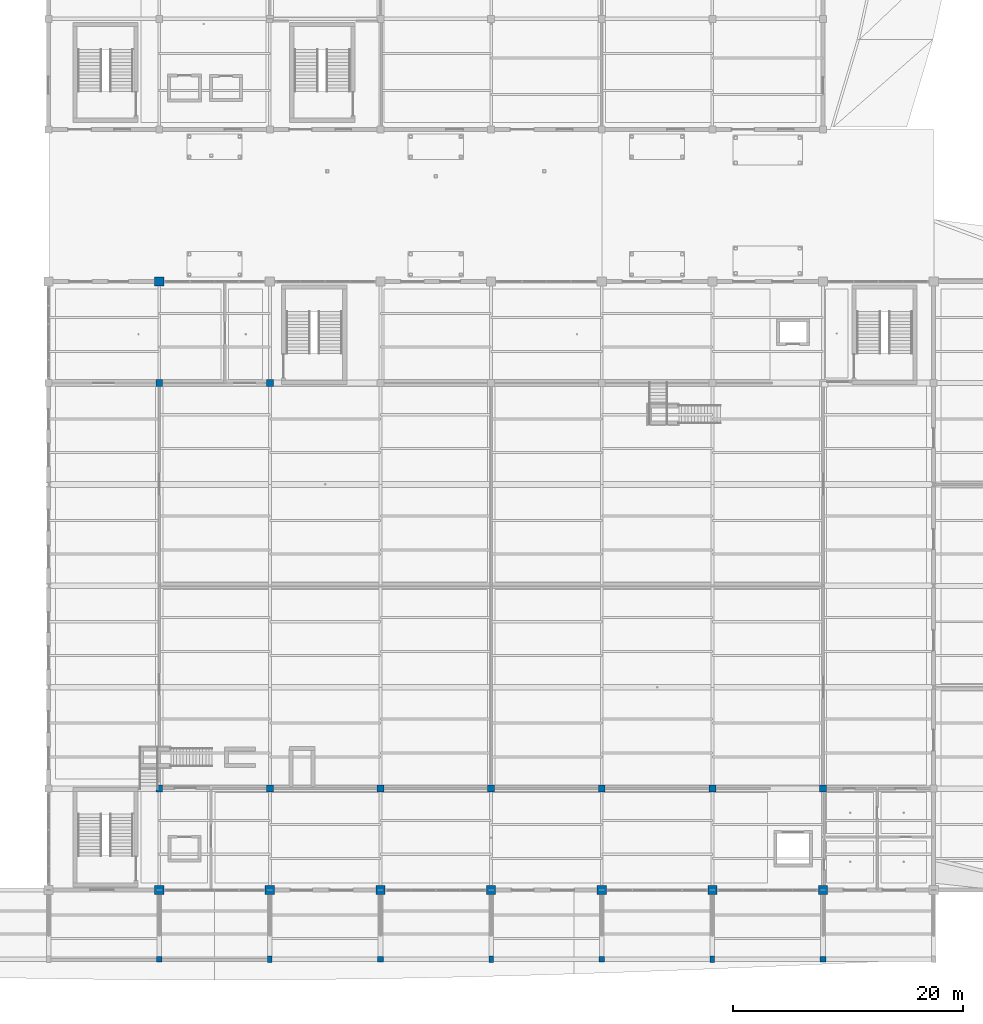
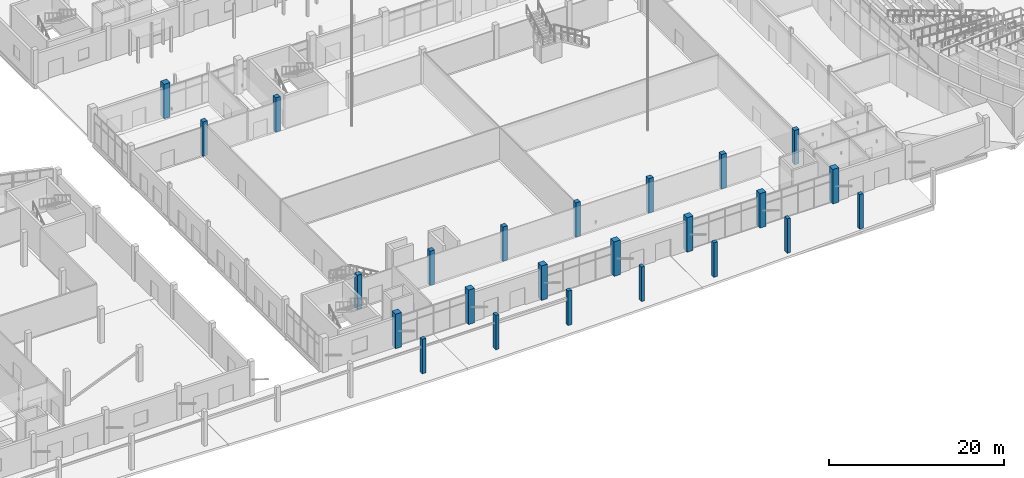
# One storey, part 5 of 116: 24 columns.
"""IFC4 building model written with IfcOpenShell, lengths in metres."""

from ifc_helpers import new_model, si_unit, direction, frame, origin, origin_2d, place, context, subcontext, project, spatial, rectangle, extrude, material, material_profile, profile_set, type_object, element, save


model = new_model("IFC4")

# Units and contexts
model_context = context("Model", 3, precision=1e-05, world=origin(), true_north=direction((0.0, 1.0)))
body_context = subcontext(model_context, "Body", "Model", "MODEL_VIEW")
ifc_project = project(units=[si_unit("LENGTHUNIT", "METRE"), si_unit("AREAUNIT", "SQUARE_METRE"), si_unit("VOLUMEUNIT", "CUBIC_METRE"), si_unit("PLANEANGLEUNIT", "RADIAN"), si_unit("MASSUNIT", "GRAM", prefix="KILO")], contexts=[model_context])

# Site, building, storey
site_placement = place(None, origin())
site = spatial("IfcSite", under=ifc_project, at=site_placement, CompositionType="ELEMENT")
building_placement = place(site_placement, origin())
building = spatial("IfcBuilding", under=site, at=building_placement, Name="Chalmorin Arch Market", CompositionType="ELEMENT")
storey_placement = place(building_placement, origin())
storey = spatial("IfcBuildingStorey", under=building, at=storey_placement, Name="L00", CompositionType="ELEMENT", Elevation=0.0)

# Columns
ifc_material_1 = material(Name="Concrete C50/60", Category="concrete")
ifc_material_profile_1 = material_profile(ifc_material_1, rectangle(XDim=0.800048828125, YDim=0.800048828125, at=origin_2d()), Name="RC800X800")
ifc_profile_set_1 = profile_set([ifc_material_profile_1], Name="Concrete C50/60")
column_type_1 = type_object("IfcColumnType", Name="ArchPierColumn-800x800", PredefinedType="COLUMN", material=ifc_profile_set_1)
for number, where, z_axis, x_axis, name in (
    (1, (57.60009765625, 6.0, 0.0), (0.0, 0.0, 1.0), (1.0, 0.0, 0.0), "C-AP1-258"),
    (2, (57.60009765625, 58.800048828125, 0.0), (0.0, 0.0, 1.0), (1.0, 0.0, 0.0), "C-AP1-276"),
    (3, (67.199951171875, 6.0, 0.0), (0.0, 0.0, 1.0), (1.0, 0.0, 0.0), "C-AP1-313"),
    (4, (76.800048828125, 6.0, 0.0), (0.0, 0.0, 1.0), (1.0, 0.0, 0.0), "C-AP1-368"),
    (5, (86.39990234375, 6.0, 0.0), (0.0, 0.0, 1.0), (1.0, 0.0, 0.0), "C-AP1-423"),
    (6, (96.0, 6.0, 0.0), (0.0, 0.0, 1.0), (1.0, 0.0, 0.0), "C-AP1-478"),
    (7, (105.60009765625, 6.0, 0.0), (0.0, 0.0, 1.0), (1.0, 0.0, 0.0), "C-AP1-533"),
    (8, (115.199951171875, 6.0, 0.0), (0.0, 0.0, 1.0), (1.0, 0.0, 0.0), "C-AP1-588"),
):
    element("IfcColumn", number, at=place(storey_placement, frame(where, z_axis=z_axis, x_axis=x_axis)), inside=storey, type_object=column_type_1, Name=name, PredefinedType="COLUMN", context=body_context, shape_type="SweptSolid", body=[
        extrude(rectangle(XDim=0.800048828125, YDim=0.800048828125, at=origin_2d()), origin(), (0.0, 0.0, 1.0), 4.800048828125),
    ])
ifc_material_2 = material(Name="Concrete C40/50", Category="concrete")
ifc_material_profile_2 = material_profile(ifc_material_2, rectangle(XDim=0.5, YDim=0.5, at=origin_2d()), Name="RC500X500")
ifc_profile_set_2 = profile_set([ifc_material_profile_2], Name="Concrete C40/50")
column_type_2 = type_object("IfcColumnType", Name="ColonnadePilaster-500x500", PredefinedType="PILASTER", material=ifc_profile_set_2)
for number, where, z_axis, x_axis, name in (
    (9, (57.60009765625, 0.0, 0.0), (0.0, 0.0, 1.0), (1.0, 0.0, 0.0), "CP-01-256"),
    (10, (76.800048828125, 0.0, 0.0), (0.0, 0.0, 1.0), (1.0, 0.0, 0.0), "CP-01-366"),
    (11, (96.0, 0.0, 0.0), (0.0, 0.0, 1.0), (1.0, 0.0, 0.0), "CP-01-476"),
    (12, (115.199951171875, 0.0, 0.0), (0.0, 0.0, 1.0), (1.0, 0.0, 0.0), "CP-01-586"),
):
    element("IfcColumn", number, at=place(storey_placement, frame(where, z_axis=z_axis, x_axis=x_axis)), inside=storey, type_object=column_type_2, Name=name, PredefinedType="PILASTER", context=body_context, shape_type="SweptSolid", body=[
        extrude(rectangle(XDim=0.5, YDim=0.5, at=origin_2d()), origin(), (0.0, 0.0, 1.0), 4.800048828125),
    ])
ifc_material_profile_3 = material_profile(ifc_material_2, rectangle(XDim=0.60009765625, YDim=0.60009765625, at=origin_2d()), Name="RC600X600")
ifc_profile_set_3 = profile_set([ifc_material_profile_3], Name="Concrete C40/50")
column_type_3 = type_object("IfcColumnType", Name="InteriorConcreteColumn-600x600", PredefinedType="COLUMN", material=ifc_profile_set_3)
for number, where, z_axis, x_axis, name in (
    (13, (57.60009765625, 14.800048828125, 0.0), (0.0, 0.0, 1.0), (1.0, 0.0, 0.0), "C-RC2-263"),
    (14, (57.60009765625, 50.0, 0.0), (0.0, 0.0, 1.0), (1.0, 0.0, 0.0), "C-RC2-271"),
    (15, (67.199951171875, 14.800048828125, 0.0), (0.0, 0.0, 1.0), (1.0, 0.0, 0.0), "C-RC2-318"),
    (16, (67.199951171875, 50.0, 0.0), (0.0, 0.0, 1.0), (1.0, 0.0, 0.0), "C-RC2-326"),
    (17, (76.800048828125, 14.800048828125, 0.0), (0.0, 0.0, 1.0), (1.0, 0.0, 0.0), "C-RC2-373"),
    (18, (86.39990234375, 14.800048828125, 0.0), (0.0, 0.0, 1.0), (1.0, 0.0, 0.0), "C-RC2-428"),
    (19, (96.0, 14.800048828125, 0.0), (0.0, 0.0, 1.0), (1.0, 0.0, 0.0), "C-RC2-483"),
    (20, (105.60009765625, 14.800048828125, 0.0), (0.0, 0.0, 1.0), (1.0, 0.0, 0.0), "C-RC2-538"),
    (21, (115.199951171875, 14.800048828125, 0.0), (0.0, 0.0, 1.0), (1.0, 0.0, 0.0), "C-RC2-593"),
):
    element("IfcColumn", number, at=place(storey_placement, frame(where, z_axis=z_axis, x_axis=x_axis)), inside=storey, type_object=column_type_3, Name=name, PredefinedType="COLUMN", context=body_context, shape_type="SweptSolid", body=[
        extrude(rectangle(XDim=0.60009765625, YDim=0.60009765625, at=origin_2d()), origin(), (0.0, 0.0, 1.0), 4.800048828125),
    ])
ifc_material_profile_4 = material_profile(ifc_material_2, rectangle(XDim=0.39990234375, YDim=0.60009765625, at=origin_2d()), Name="RC400X600")
ifc_profile_set_4 = profile_set([ifc_material_profile_4], Name="Concrete C40/50")
column_type_4 = type_object("IfcColumnType", Name="PromenadePilaster-400x600", PredefinedType="PILASTER", material=ifc_profile_set_4)
for number, where, z_axis, x_axis, name in (
    (22, (67.199951171875, 0.0, 0.0), (0.0, 0.0, 1.0), (1.0, 0.0, 0.0), "CP-02-311"),
    (23, (86.39990234375, 0.0, 0.0), (0.0, 0.0, 1.0), (1.0, 0.0, 0.0), "CP-02-421"),
    (24, (105.60009765625, 0.0, 0.0), (0.0, 0.0, 1.0), (1.0, 0.0, 0.0), "CP-02-531"),
):
    element("IfcColumn", number, at=place(storey_placement, frame(where, z_axis=z_axis, x_axis=x_axis)), inside=storey, type_object=column_type_4, Name=name, PredefinedType="PILASTER", context=body_context, shape_type="SweptSolid", body=[
        extrude(rectangle(XDim=0.39990234375, YDim=0.60009765625, at=origin_2d()), origin(), (0.0, 0.0, 1.0), 4.800048828125),
    ])

save(model, "model.ifc")
